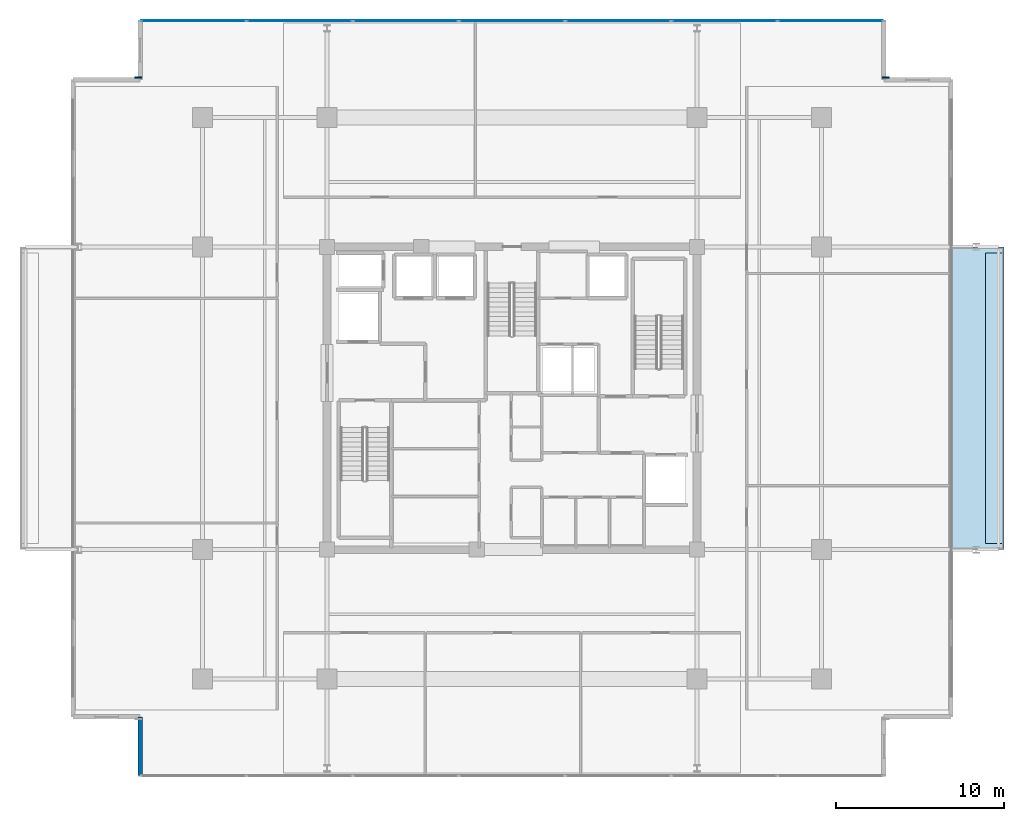
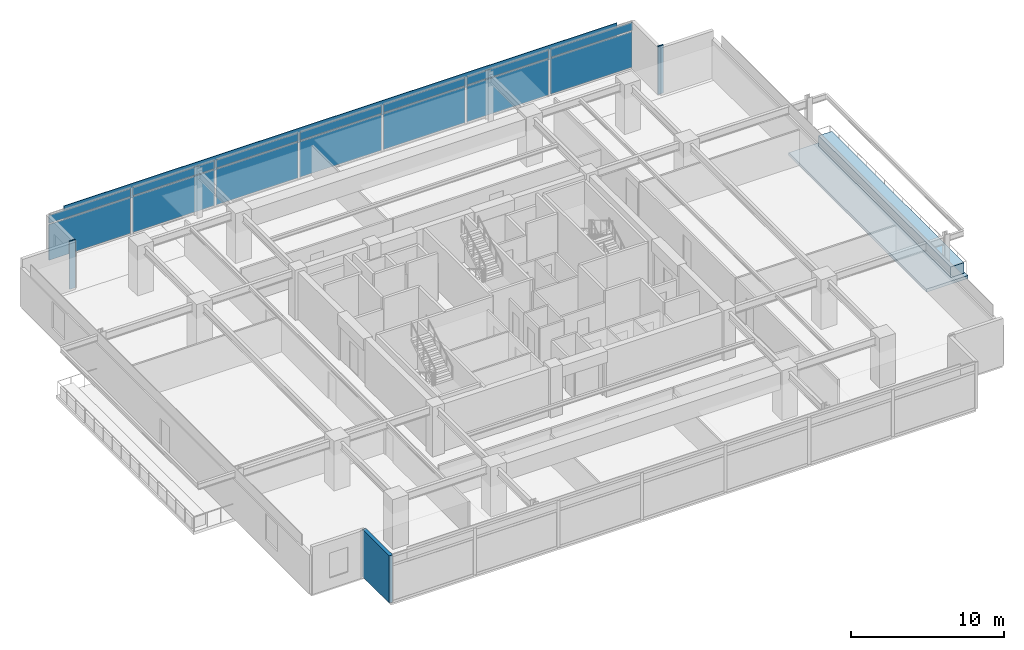
# One storey, part 16 of 24: 17 plates, 2 slabs, 1 wall, 1 element without a shape of its own.
"""IFC4 building model written with IfcOpenShell, lengths in metres."""

import ifcopenshell
import ifcopenshell.guid

model = None  # the IFC model being written
_history = None  # IfcOwnerHistory: only IFC2X3 demands one
_inside = {}  # id of a spatial element -> (the spatial element, [elements in it])
_under = {}  # id of a project, library or spatial element -> (it, [spatial elements below it])
_declared = {}  # id of a project -> (the project, [libraries it declares])
_typed = {}  # id of a type object -> (the type object, [elements of that type])
_made_of = {}  # id of a material, layer set ... -> (it, [elements and type objects made of it])


def new_model(schema):
    """Start an empty IFC model of exactly this schema.

    Asked for "IFC4X3", IfcOpenShell would pick the latest addendum, in which some entities
    have other attributes; the version numbers below select the first issue.
    IFC2X3 requires an IfcOwnerHistory on every rooted entity: one is made here for all.
    """
    global model, _history
    if schema == "IFC4X3":
        model = ifcopenshell.file(schema_version=(4, 3, 0, 0))
    else:
        model = ifcopenshell.file(schema=schema)
    _inside.clear()
    _under.clear()
    _declared.clear()
    _typed.clear()
    _made_of.clear()
    _history = None
    if model.schema == "IFC2X3":
        org = make("IfcOrganization", Name="unknown")
        user = make(
            "IfcPersonAndOrganization",
            ThePerson=make("IfcPerson", FamilyName="unknown"),
            TheOrganization=org,
        )
        app = make(
            "IfcApplication",
            ApplicationDeveloper=org,
            Version="unknown",
            ApplicationFullName="unknown",
            ApplicationIdentifier="unknown",
        )
        _history = make(
            "IfcOwnerHistory",
            OwningUser=user,
            OwningApplication=app,
            ChangeAction="ADDED",
            CreationDate=0,
        )
    return model


def make(cls, **values):
    """One entity of the class cls with the attributes given. An attribute that is None is left unset."""
    return model.create_entity(
        cls, **{name: value for name, value in values.items() if value is not None}
    )


def rooted(cls, **values):
    """An entity with a GlobalId (a new one), such as an element, a storey or a relation."""
    return make(cls, GlobalId=ifcopenshell.guid.new(), OwnerHistory=_history, **values)


def si_unit(unit_type, name, prefix=None):
    """IfcSIUnit, for example si_unit("LENGTHUNIT", "METRE", prefix="MILLI")."""
    return make("IfcSIUnit", UnitType=unit_type, Prefix=prefix, Name=name)


def assignment(units):
    """IfcUnitAssignment: the units of a project."""
    return None if units is None else make("IfcUnitAssignment", Units=units)


def point(xyz):
    """IfcCartesianPoint."""
    return None if xyz is None else make("IfcCartesianPoint", Coordinates=xyz)


def direction(xyz):
    """IfcDirection."""
    return None if xyz is None else make("IfcDirection", DirectionRatios=xyz)


def frame(location, z_axis=None, x_axis=None):
    """IfcAxis2Placement3D, a coordinate frame: its origin and axes. An axis left out is left unset."""
    return make(
        "IfcAxis2Placement3D",
        Location=point(location),
        Axis=direction(z_axis),
        RefDirection=direction(x_axis),
    )


def frame_2d(location, x_axis=None):
    """IfcAxis2Placement2D, a coordinate frame in the plane: its origin and x axis."""
    return make(
        "IfcAxis2Placement2D", Location=point(location), RefDirection=direction(x_axis)
    )


def origin():
    """The frame at (0, 0, 0) with its axes left unset."""
    return frame((0.0, 0.0, 0.0))


def origin_2d():
    """The frame at (0, 0) in the plane with its x axis left unset."""
    return frame_2d((0.0, 0.0))


def place(relative_to, where):
    """IfcLocalPlacement: puts the frame where relative to a parent placement (None: the world)."""
    return make(
        "IfcLocalPlacement", PlacementRelTo=relative_to, RelativePlacement=where
    )


def context(
    kind, dimensions, precision=None, world=None, true_north=None, identifier=None
):
    """IfcGeometricRepresentationContext, for example the 3D "Model" context."""
    return make(
        "IfcGeometricRepresentationContext",
        ContextIdentifier=identifier,
        ContextType=kind,
        CoordinateSpaceDimension=dimensions,
        Precision=precision,
        WorldCoordinateSystem=world,
        TrueNorth=true_north,
    )


def subcontext(parent, identifier, kind, view, scale=None):
    """IfcGeometricRepresentationSubContext, for example "Body" below "Model"."""
    return make(
        "IfcGeometricRepresentationSubContext",
        ContextIdentifier=identifier,
        ContextType=kind,
        ParentContext=parent,
        TargetScale=scale,
        TargetView=view,
    )


def project(units=None, contexts=None):
    """IfcProject with its units and contexts."""
    return rooted(
        "IfcProject",
        Name="project",
        RepresentationContexts=contexts,
        UnitsInContext=assignment(units),
    )


def spatial(cls, under=None, at=None, **own):
    """A site, building, storey or space (cls), placed at a placement, below another one or the project."""
    s = rooted(cls, ObjectPlacement=at, **own)
    if under is not None:
        _under.setdefault(under.id(), (under, []))[1].append(s)
    return s


def polyline(points):
    """IfcPolyline through the points."""
    return make("IfcPolyline", Points=[point(p) for p in points])


def profile(cls, at=None, kind="AREA", **sizes):
    """A parametric profile (cls). Its sizes go by their IFC names, for example OverallWidth=200.0."""
    return make(cls, ProfileType=kind, Position=at, **sizes)


def rectangle(**sizes):
    """IfcRectangleProfileDef."""
    return profile("IfcRectangleProfileDef", **sizes)


def outline(outer, holes=None, kind="AREA"):
    """IfcArbitraryClosedProfileDef: a profile drawn as a closed curve; with holes, ...WithVoids."""
    if holes is None:
        return make("IfcArbitraryClosedProfileDef", ProfileType=kind, OuterCurve=outer)
    return make(
        "IfcArbitraryProfileDefWithVoids",
        ProfileType=kind,
        OuterCurve=outer,
        InnerCurves=holes,
    )


def extrude(swept, where, along, depth):
    """IfcExtrudedAreaSolid: the profile swept, set in the frame where, extruded along a direction by depth."""
    return make(
        "IfcExtrudedAreaSolid",
        SweptArea=swept,
        Position=where,
        ExtrudedDirection=direction(along),
        Depth=depth,
    )


def shape(context_of_items, identifier, shape_type, items):
    """IfcShapeRepresentation: the items that make up one representation, for example the "Body"."""
    return make(
        "IfcShapeRepresentation",
        ContextOfItems=context_of_items,
        RepresentationIdentifier=identifier,
        RepresentationType=shape_type,
        Items=items,
    )


def material(Name=None, Category=None):
    """IfcMaterial."""
    return make("IfcMaterial", Name=Name, Category=Category)


def layer(
    of_material, thickness, ventilated=None, Name=None, Category=None, Priority=None
):
    """IfcMaterialLayer: one layer of a wall or slab, of a material (None: an air gap)."""
    return make(
        "IfcMaterialLayer",
        Material=of_material,
        LayerThickness=thickness,
        IsVentilated=ventilated,
        Name=Name,
        Category=Category,
        Priority=Priority,
    )


def layer_set(layers, Name=None):
    """IfcMaterialLayerSet."""
    return make("IfcMaterialLayerSet", MaterialLayers=layers, LayerSetName=Name)


def made_of(thing, what):
    """Note that an element or type object is made of a material, layer set ...; save() writes the relation."""
    if what is not None:
        _made_of.setdefault(what.id(), (what, []))[1].append(thing)
    return thing


def type_object(cls, material=None, **own):
    """A type object (cls), such as IfcWallType, which elements share."""
    return made_of(rooted(cls, **own), material)


def element(
    cls,
    number,
    at=None,
    inside=None,
    cuts=None,
    type_object=None,
    material=None,
    context=None,
    identifier="Body",
    shape_type=None,
    held_by="IfcProductDefinitionShape",
    body=None,
    shapes=None,
    **own,
):
    """One element of the class cls, such as IfcWall. Its Tag is "e" and its number.

    at: its placement. inside: the storey or other place that contains it. cuts: it is an
    opening in that element (IfcRelVoidsElement). A single representation is given by context,
    identifier, shape_type and body (its items); several are given by shapes. held_by: the class
    of the entity that holds the representations. save() writes the other relations.
    """
    e = rooted(cls, Tag="e%d" % number, ObjectPlacement=at, **own)
    if body is not None:
        shapes = [shape(context, identifier, shape_type, body)]
    if shapes is not None:
        e.Representation = make(held_by, Representations=shapes)
    if inside is not None:
        _inside.setdefault(inside.id(), (inside, []))[1].append(e)
    if cuts is not None:
        rooted(
            "IfcRelVoidsElement", RelatingBuildingElement=cuts, RelatedOpeningElement=e
        )
    if type_object is not None:
        _typed.setdefault(type_object.id(), (type_object, []))[1].append(e)
    return made_of(e, material)


def aggregate(whole, parts):
    """IfcRelAggregates: a whole, such as a stair, and the parts it consists of."""
    return rooted("IfcRelAggregates", RelatingObject=whole, RelatedObjects=parts)


def save(model, path):
    """Write the relations noted so far, then the file.

    IfcRelAggregates (storeys below a building ...), IfcRelContainedInSpatialStructure (elements
    in a storey), IfcRelDefinesByType, IfcRelAssociatesMaterial and IfcRelDeclares: one each for
    every whole, place, type object, material and project.
    """
    for whole, parts in _under.values():
        aggregate(whole, parts)
    for where, things in _inside.values():
        rooted(
            "IfcRelContainedInSpatialStructure",
            RelatedElements=things,
            RelatingStructure=where,
        )
    for kind, things in _typed.values():
        rooted("IfcRelDefinesByType", RelatedObjects=things, RelatingType=kind)
    for what, things in _made_of.values():
        rooted("IfcRelAssociatesMaterial", RelatedObjects=things, RelatingMaterial=what)
    for by, libraries in _declared.values():
        rooted("IfcRelDeclares", RelatingContext=by, RelatedDefinitions=libraries)
    model.write(path)


model = new_model("IFC4")

# Units and contexts
model_context = context("Model", 3, precision=1e-05, world=origin(), true_north=direction((0.0, 1.0)))
body_context = subcontext(model_context, "Body", "Model", "MODEL_VIEW")
ifc_project = project(units=[si_unit("LENGTHUNIT", "METRE"), si_unit("AREAUNIT", "SQUARE_METRE"), si_unit("VOLUMEUNIT", "CUBIC_METRE"), si_unit("PLANEANGLEUNIT", "RADIAN"), si_unit("MASSUNIT", "GRAM", prefix="KILO")], contexts=[model_context])

# Site, building, storey
site_placement = place(None, origin())
site = spatial("IfcSite", under=ifc_project, at=site_placement, CompositionType="ELEMENT")
building_placement = place(site_placement, origin())
building = spatial("IfcBuilding", under=site, at=building_placement, Name="Kovane Verandah Tower", CompositionType="ELEMENT")
storey_placement = place(building_placement, frame((0.0, 0.0, 271.199951171875)))
storey = spatial("IfcBuildingStorey", under=building, at=storey_placement, Name="L63", CompositionType="ELEMENT", Elevation=271.199951171875)

# Curtain wall, plates
ifc_material_1 = material(Name="Champagne Anodised Aluminium Frame with Low-E Clear Laminated Glass", Category="aluminium")
curtain_wall_type = type_object("IfcCurtainWallType", Name="CW-SYS-05-HIGH", PredefinedType="NOTDEFINED", material=ifc_material_1)
curtain_wall_placement = place(storey_placement, origin())
curtain_wall = element("IfcCurtainWall", 1, at=curtain_wall_placement, inside=storey, type_object=curtain_wall_type, Name="L63 N Unitised Curtain Wall", PredefinedType="NOTDEFINED")
ifc_material_2 = material(Name="Pale Champagne Anodised Aluminium Insulated Spandrel", Category="aluminium")
ifc_layer_1 = layer(ifc_material_2, 0.0400390625)
ifc_layer_set_1 = layer_set([ifc_layer_1], Name="Pale Champagne Anodised Aluminium Insulated Spandrel")
plate_type_1 = type_object("IfcPlateType", Name="PL-CW-SPD-40", PredefinedType="SHEET", material=ifc_layer_set_1)
plate_1_placement = place(storey_placement, frame((58.948974609375, 49.94970703125, 3.05517578125), z_axis=(0.0, 0.0, 1.0), x_axis=(-1.0, 0.0, 0.0)))
plate_1 = element("IfcPlate", 2, at=plate_1_placement, type_object=plate_type_1, Name="L63 N Unitised Curtain Wall Spandrel Panel 1", PredefinedType="SHEET", context=body_context, shape_type="SweptSolid", body=[
    extrude(rectangle(XDim=6.17626953125, YDim=0.0400390625, at=origin_2d()), origin(), (0.0, 0.0, 1.0), 0.639892578125),
])
plate_2_placement = place(storey_placement, frame((52.6328125, 49.94970703125, 3.05517578125), z_axis=(0.0, 0.0, 1.0), x_axis=(-1.0, 0.0, 0.0)))
plate_2 = element("IfcPlate", 3, at=plate_2_placement, type_object=plate_type_1, Name="L63 N Unitised Curtain Wall Spandrel Panel 2", PredefinedType="SHEET", context=body_context, shape_type="SweptSolid", body=[
    extrude(rectangle(XDim=6.17626953125, YDim=0.0400390625, at=origin_2d()), origin(), (0.0, 0.0, 1.0), 0.639892578125),
])
plate_3_placement = place(storey_placement, frame((46.31640625, 49.94970703125, 3.05517578125), z_axis=(0.0, 0.0, 1.0), x_axis=(-1.0, 0.0, 0.0)))
plate_3 = element("IfcPlate", 4, at=plate_3_placement, type_object=plate_type_1, Name="L63 N Unitised Curtain Wall Spandrel Panel 3", PredefinedType="SHEET", context=body_context, shape_type="SweptSolid", body=[
    extrude(rectangle(XDim=6.17626953125, YDim=0.0400390625, at=origin_2d()), origin(), (0.0, 0.0, 1.0), 0.639892578125),
])
plate_4_placement = place(storey_placement, frame((40.0, 49.94970703125, 3.05517578125), z_axis=(0.0, 0.0, 1.0), x_axis=(-1.0, 0.0, 0.0)))
plate_4 = element("IfcPlate", 5, at=plate_4_placement, type_object=plate_type_1, Name="L63 N Unitised Curtain Wall Spandrel Panel 4", PredefinedType="SHEET", context=body_context, shape_type="SweptSolid", body=[
    extrude(rectangle(XDim=6.17626953125, YDim=0.0400390625, at=origin_2d()), origin(), (0.0, 0.0, 1.0), 0.639892578125),
])
plate_5_placement = place(storey_placement, frame((33.68359375, 49.94970703125, 3.05517578125), z_axis=(0.0, 0.0, 1.0), x_axis=(-1.0, 0.0, 0.0)))
plate_5 = element("IfcPlate", 6, at=plate_5_placement, type_object=plate_type_1, Name="L63 N Unitised Curtain Wall Spandrel Panel 5", PredefinedType="SHEET", context=body_context, shape_type="SweptSolid", body=[
    extrude(rectangle(XDim=6.17626953125, YDim=0.0400390625, at=origin_2d()), origin(), (0.0, 0.0, 1.0), 0.639892578125),
])
plate_6_placement = place(storey_placement, frame((27.3671875, 49.94970703125, 3.05517578125), z_axis=(0.0, 0.0, 1.0), x_axis=(-1.0, 0.0, 0.0)))
plate_6 = element("IfcPlate", 7, at=plate_6_placement, type_object=plate_type_1, Name="L63 N Unitised Curtain Wall Spandrel Panel 6", PredefinedType="SHEET", context=body_context, shape_type="SweptSolid", body=[
    extrude(rectangle(XDim=6.17626953125, YDim=0.0400390625, at=origin_2d()), origin(), (0.0, 0.0, 1.0), 0.639892578125),
])
plate_7_placement = place(storey_placement, frame((21.051025390625, 49.94970703125, 3.05517578125), z_axis=(0.0, 0.0, 1.0), x_axis=(-1.0, 0.0, 0.0)))
plate_7 = element("IfcPlate", 8, at=plate_7_placement, type_object=plate_type_1, Name="L63 N Unitised Curtain Wall Spandrel Panel 7", PredefinedType="SHEET", context=body_context, shape_type="SweptSolid", body=[
    extrude(rectangle(XDim=6.17626953125, YDim=0.0400390625, at=origin_2d()), origin(), (0.0, 0.0, 1.0), 0.639892578125),
])
ifc_material_3 = material(Name="Clear Low-E Laminated Double Glazing", Category="glass")
ifc_layer_2 = layer(ifc_material_3, 0.031982421875)
ifc_layer_set_2 = layer_set([ifc_layer_2], Name="Clear Low-E Laminated Double Glazing")
plate_type_2 = type_object("IfcPlateType", Name="PL-CW-VIS-32", PredefinedType="CURTAIN_PANEL", material=ifc_layer_set_2)
plate_8_placement = place(storey_placement, frame((58.948974609375, 49.94970703125, 0.10009765625), z_axis=(0.0, 0.0, 1.0), x_axis=(-1.0, 0.0, 0.0)))
plate_8 = element("IfcPlate", 9, at=plate_8_placement, type_object=plate_type_2, Name="L63 N Unitised Curtain Wall Vision Panel 1", PredefinedType="CURTAIN_PANEL", context=body_context, shape_type="SweptSolid", body=[
    extrude(rectangle(XDim=6.17626953125, YDim=0.031982421875, at=origin_2d()), origin(), (0.0, 0.0, 1.0), 2.85498046875),
])
plate_9_placement = place(storey_placement, frame((52.6328125, 49.94970703125, 0.10009765625), z_axis=(0.0, 0.0, 1.0), x_axis=(-1.0, 0.0, 0.0)))
plate_9 = element("IfcPlate", 10, at=plate_9_placement, type_object=plate_type_2, Name="L63 N Unitised Curtain Wall Vision Panel 2", PredefinedType="CURTAIN_PANEL", context=body_context, shape_type="SweptSolid", body=[
    extrude(rectangle(XDim=6.17626953125, YDim=0.031982421875, at=origin_2d()), origin(), (0.0, 0.0, 1.0), 2.85498046875),
])
plate_10_placement = place(storey_placement, frame((46.31640625, 49.94970703125, 0.10009765625), z_axis=(0.0, 0.0, 1.0), x_axis=(-1.0, 0.0, 0.0)))
plate_10 = element("IfcPlate", 11, at=plate_10_placement, type_object=plate_type_2, Name="L63 N Unitised Curtain Wall Vision Panel 3", PredefinedType="CURTAIN_PANEL", context=body_context, shape_type="SweptSolid", body=[
    extrude(rectangle(XDim=6.17626953125, YDim=0.031982421875, at=origin_2d()), origin(), (0.0, 0.0, 1.0), 2.85498046875),
])
plate_11_placement = place(storey_placement, frame((40.0, 49.94970703125, 0.10009765625), z_axis=(0.0, 0.0, 1.0), x_axis=(-1.0, 0.0, 0.0)))
plate_11 = element("IfcPlate", 12, at=plate_11_placement, type_object=plate_type_2, Name="L63 N Unitised Curtain Wall Vision Panel 4", PredefinedType="CURTAIN_PANEL", context=body_context, shape_type="SweptSolid", body=[
    extrude(rectangle(XDim=6.17626953125, YDim=0.031982421875, at=origin_2d()), origin(), (0.0, 0.0, 1.0), 2.85498046875),
])
plate_12_placement = place(storey_placement, frame((33.68359375, 49.94970703125, 0.10009765625), z_axis=(0.0, 0.0, 1.0), x_axis=(-1.0, 0.0, 0.0)))
plate_12 = element("IfcPlate", 13, at=plate_12_placement, type_object=plate_type_2, Name="L63 N Unitised Curtain Wall Vision Panel 5", PredefinedType="CURTAIN_PANEL", context=body_context, shape_type="SweptSolid", body=[
    extrude(rectangle(XDim=6.17626953125, YDim=0.031982421875, at=origin_2d()), origin(), (0.0, 0.0, 1.0), 2.85498046875),
])
plate_13_placement = place(storey_placement, frame((27.3671875, 49.94970703125, 0.10009765625), z_axis=(0.0, 0.0, 1.0), x_axis=(-1.0, 0.0, 0.0)))
plate_13 = element("IfcPlate", 14, at=plate_13_placement, type_object=plate_type_2, Name="L63 N Unitised Curtain Wall Vision Panel 6", PredefinedType="CURTAIN_PANEL", context=body_context, shape_type="SweptSolid", body=[
    extrude(rectangle(XDim=6.17626953125, YDim=0.031982421875, at=origin_2d()), origin(), (0.0, 0.0, 1.0), 2.85498046875),
])
plate_14_placement = place(storey_placement, frame((21.051025390625, 49.94970703125, 0.10009765625), z_axis=(0.0, 0.0, 1.0), x_axis=(-1.0, 0.0, 0.0)))
plate_14 = element("IfcPlate", 15, at=plate_14_placement, type_object=plate_type_2, Name="L63 N Unitised Curtain Wall Vision Panel 7", PredefinedType="CURTAIN_PANEL", context=body_context, shape_type="SweptSolid", body=[
    extrude(rectangle(XDim=6.17626953125, YDim=0.031982421875, at=origin_2d()), origin(), (0.0, 0.0, 1.0), 2.85498046875),
])
aggregate(curtain_wall, [plate_8, plate_1, plate_9, plate_2, plate_10, plate_3, plate_11, plate_4, plate_12, plate_5, plate_13, plate_6, plate_14, plate_7])

# Plates
ifc_material_4 = material(Name="Timber-Toned Subtropical Aluminium Vertical Blade", Category="wood")
ifc_layer_3 = layer(ifc_material_4, 0.090087890625)
ifc_layer_set_3 = layer_set([ifc_layer_3], Name="Timber-Toned Subtropical Aluminium Vertical Blade")
plate_type_3 = type_object("IfcPlateType", Name="PL-FIN-90", PredefinedType="USERDEFINED", material=ifc_layer_set_3)
for number, where, z_axis, x_axis, name in (
    (16, (62.227294921875, 46.569580078125, -0.02001953125), (0.0, 0.0, 1.0), (1.0, 0.0, 0.0), "L63 NE Timber-Toned Vertical Corner Fin"),
    (17, (17.772705078125, 46.569580078125, -0.02001953125), (0.0, 0.0, 1.0), (1.0, 0.0, 0.0), "L63 NW Timber-Toned Vertical Corner Fin"),
):
    element("IfcPlate", number, at=place(storey_placement, frame(where, z_axis=z_axis, x_axis=x_axis)), inside=storey, type_object=plate_type_3, Name=name, ObjectType="FIN", PredefinedType="USERDEFINED", context=body_context, shape_type="SweptSolid", body=[
        extrude(rectangle(XDim=0.419921875, YDim=0.090087890625, at=origin_2d()), origin(), (0.0, 0.0, 1.0), 3.844970703125),
    ])
ifc_material_5 = material(Name="Perforated Pale Champagne Anodised Aluminium Solar Screen", Category="aluminium")
ifc_layer_4 = layer(ifc_material_5, 0.050048828125)
ifc_layer_set_4 = layer_set([ifc_layer_4], Name="Perforated Pale Champagne Anodised Aluminium Solar Screen")
plate_type_4 = type_object("IfcPlateType", Name="PL-SCREEN-50", PredefinedType="USERDEFINED", material=ifc_layer_set_4)
plate_15_placement = place(storey_placement, frame((40.0, 49.964599609375, 2.885009765625), z_axis=(0.0, 0.0, 1.0), x_axis=(-1.0, 0.0, 0.0)))
element("IfcPlate", 18, at=plate_15_placement, inside=storey, type_object=plate_type_4, Name="L63 N Perforated Champagne-Gold Solar Screen", ObjectType="SCREEN", PredefinedType="USERDEFINED", context=body_context, shape_type="SweptSolid", body=[
    extrude(rectangle(XDim=41.81396484375, YDim=0.050048828125, at=origin_2d()), origin(), (0.0, 0.0, 1.0), 1.14990234375),
])

# Slabs
ifc_material_6 = material(Name="Concrete C45/55", Category="concrete")
ifc_layer_5 = layer(ifc_material_6, 0.239990234375)
ifc_layer_set_5 = layer_set([ifc_layer_5], Name="Concrete C45/55")
slab_type_1 = type_object("IfcSlabType", Name="SL-BALC-240", PredefinedType="FLOOR", material=ifc_layer_set_5)
slab_1_placement = place(storey_placement, frame((0.0, 0.0, -0.239990234375)))
element("IfcSlab", 19, at=slab_1_placement, inside=storey, type_object=slab_type_1, Name="L63 E Planted Verandah Balcony Slab", PredefinedType="FLOOR", context=body_context, shape_type="SweptSolid", body=[
    extrude(outline(polyline([(66.107177734375, 18.5), (69.257080078125, 18.5), (69.257080078125, 36.5), (66.107177734375, 36.5), (66.107177734375, 18.5)])), origin(), (0.0, 0.0, 1.0), 0.239990234375),
])
ifc_material_7 = material(Name="Architectural Precast Concrete C45/55 Planter Trough", Category="concrete")
ifc_layer_6 = layer(ifc_material_7, 0.219970703125)
ifc_layer_set_6 = layer_set([ifc_layer_6], Name="Architectural Precast Concrete C45/55 Planter Trough")
slab_type_2 = type_object("IfcSlabType", Name="SL-PLANTER-220", PredefinedType="USERDEFINED", material=ifc_layer_set_6)
slab_2_placement = place(storey_placement, origin())
element("IfcSlab", 20, at=slab_2_placement, inside=storey, type_object=slab_type_2, Name="L63 E Structural Tree Planter", ObjectType="PLANTER", PredefinedType="USERDEFINED", context=body_context, shape_type="SweptSolid", body=[
    extrude(outline(polyline([(68.1572265625, 18.85009765625), (69.1572265625, 18.85009765625), (69.1572265625, 36.14990234375), (68.1572265625, 36.14990234375), (68.1572265625, 18.85009765625)])), origin(), (0.0, 0.0, 1.0), 0.85009765625),
])

# Wall
ifc_material_8 = material(Name="Concrete C45/55 Insulated Spandrel Wall", Category="concrete")
ifc_layer_7 = layer(ifc_material_8, 0.260009765625)
ifc_layer_set_7 = layer_set([ifc_layer_7], Name="Concrete C45/55 Insulated Spandrel Wall")
wall_type = type_object("IfcWallType", Name="WL-SPANDREL-260", PredefinedType="PARAPET", material=ifc_layer_set_7)
wall_placement = place(storey_placement, frame((17.892822265625, 8.55029296875, 0.0), z_axis=(0.0, 0.0, 1.0), x_axis=(0.0, -1.0, 0.0)))
element("IfcWall", 21, at=wall_placement, inside=storey, type_object=wall_type, Name="L63 SW Notch Cheek Wall 2", PredefinedType="PARAPET", context=body_context, shape_type="SweptSolid", body=[
    extrude(rectangle(XDim=3.5, YDim=0.260009765625, at=frame_2d((1.75, 0.0))), origin(), (0.0, 0.0, 1.0), 3.78515625),
])

save(model, "model.ifc")
